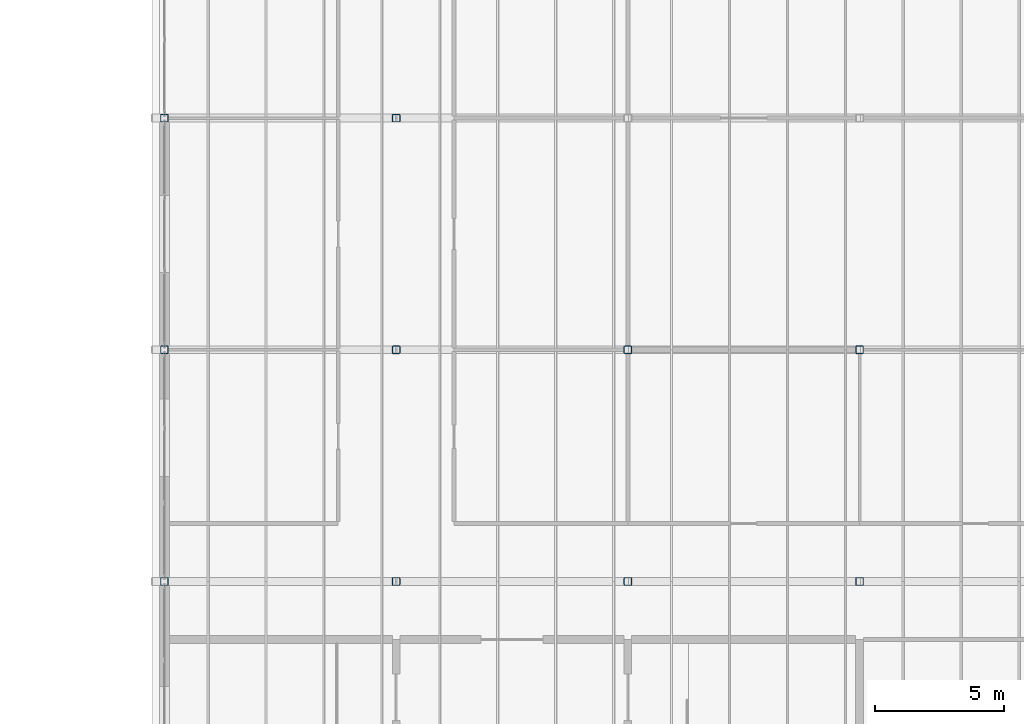
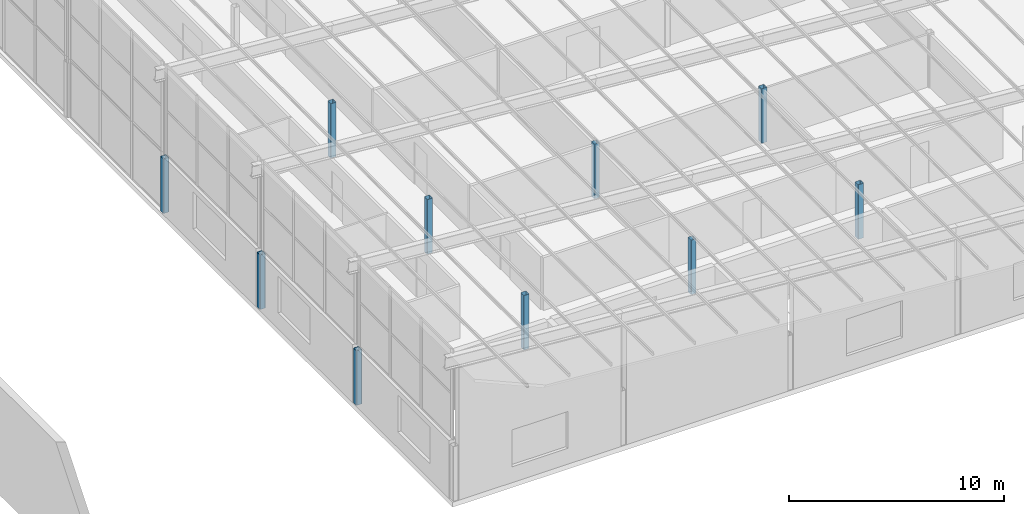
# One storey, part 10 of 85: 10 columns.
"""IFC4 building model written with IfcOpenShell, lengths in metres."""

from ifc_helpers import new_model, si_unit, direction, frame, origin, origin_2d, place, context, subcontext, project, spatial, hollow_rectangle, extrude, material, material_profile, profile_set, type_object, element, save


model = new_model("IFC4")

# Units and contexts
model_context = context("Model", 3, precision=1e-05, world=origin(), true_north=direction((0.0, 1.0)))
body_context = subcontext(model_context, "Body", "Model", "MODEL_VIEW")
ifc_project = project(units=[si_unit("LENGTHUNIT", "METRE"), si_unit("AREAUNIT", "SQUARE_METRE"), si_unit("VOLUMEUNIT", "CUBIC_METRE"), si_unit("PLANEANGLEUNIT", "RADIAN"), si_unit("MASSUNIT", "GRAM", prefix="KILO")], contexts=[model_context])

# Site, building, storey
site_placement = place(None, origin())
site = spatial("IfcSite", under=ifc_project, at=site_placement, CompositionType="ELEMENT")
building_placement = place(site_placement, origin())
building = spatial("IfcBuilding", under=site, at=building_placement, Name="Opaline Strait Convention Centre", CompositionType="ELEMENT")
storey_placement = place(building_placement, frame((0.0, 0.0, 17.0)))
storey = spatial("IfcBuildingStorey", under=building, at=storey_placement, Name="L03", CompositionType="ELEMENT", Elevation=17.0)

# Columns
ifc_material = material(Name="Steel Q355B", Category="steel")
ifc_material_profile = material_profile(ifc_material, hollow_rectangle(XDim=0.300048828125, YDim=0.300048828125, WallThickness=0.011962890625, InnerFilletRadius=0.02392578125, OuterFilletRadius=0.035888671875, at=origin_2d()), Name="RHS 300x300x12")
ifc_profile_set = profile_set([ifc_material_profile], Name="Steel Q355B")
column_type = type_object("IfcColumnType", Name="Roof post RHS 300x300x12", PredefinedType="COLUMN", material=ifc_profile_set)
for number, where, z_axis, x_axis, name in (
    (1, (279.0, 99.0, 0.0), (0.0, 0.0, 1.0), (1.0, 0.0, 0.0), "MRS1 roof post at 32/M"),
    (2, (279.0, 108.0, 0.0), (0.0, 0.0, 1.0), (1.0, 0.0, 0.0), "MRS1 roof post at 32/N"),
    (3, (279.0, 117.0, 0.0), (0.0, 0.0, 1.0), (1.0, 0.0, 0.0), "MRS1 roof post at 32/P"),
    (4, (288.0, 99.0, 0.0), (0.0, 0.0, 1.0), (1.0, 0.0, 0.0), "MRS1 roof post at 33/M"),
    (5, (288.0, 108.0, 0.0), (0.0, 0.0, 1.0), (1.0, 0.0, 0.0), "MRS1 roof post at 33/N"),
    (6, (288.0, 117.0, 0.0), (0.0, 0.0, 1.0), (1.0, 0.0, 0.0), "MRS1 roof post at 33/P"),
    (7, (297.0, 99.0, 0.0), (0.0, 0.0, 1.0), (1.0, 0.0, 0.0), "MRS1 roof post at 34/M"),
    (8, (297.0, 108.0, 0.0), (0.0, 0.0, 1.0), (1.0, 0.0, 0.0), "MRS1 roof post at 34/N"),
    (9, (306.0, 99.0, 0.0), (0.0, 0.0, 1.0), (1.0, 0.0, 0.0), "MRS1 roof post at 35/M"),
    (10, (306.0, 108.0, 0.0), (0.0, 0.0, 1.0), (1.0, 0.0, 0.0), "MRS1 roof post at 35/N"),
):
    element("IfcColumn", number, at=place(storey_placement, frame(where, z_axis=z_axis, x_axis=x_axis)), inside=storey, type_object=column_type, Name=name, PredefinedType="COLUMN", context=body_context, shape_type="SweptSolid", body=[
        extrude(hollow_rectangle(XDim=0.300048828125, YDim=0.300048828125, WallThickness=0.011962890625, InnerFilletRadius=0.02392578125, OuterFilletRadius=0.035888671875, at=origin_2d()), origin(), (0.0, 0.0, 1.0), 3.10009765625),
    ])

save(model, "model.ifc")
